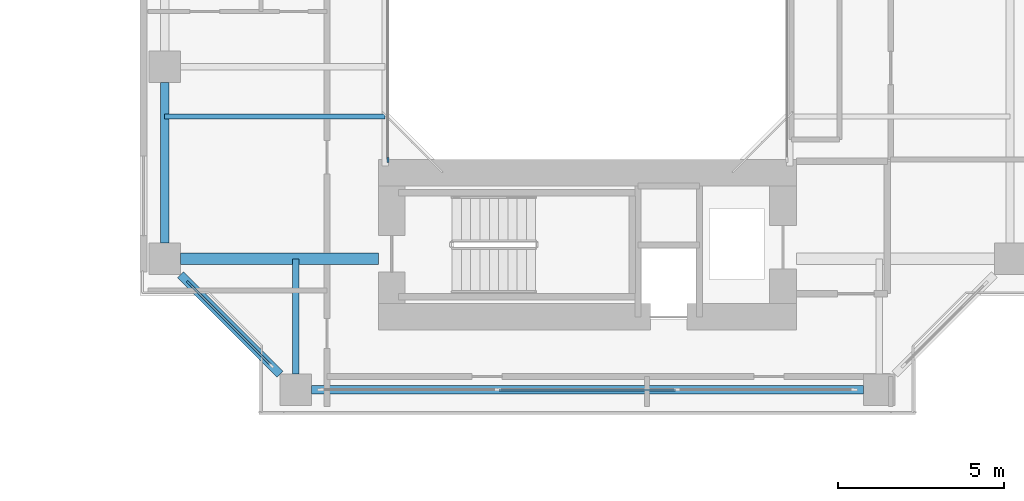
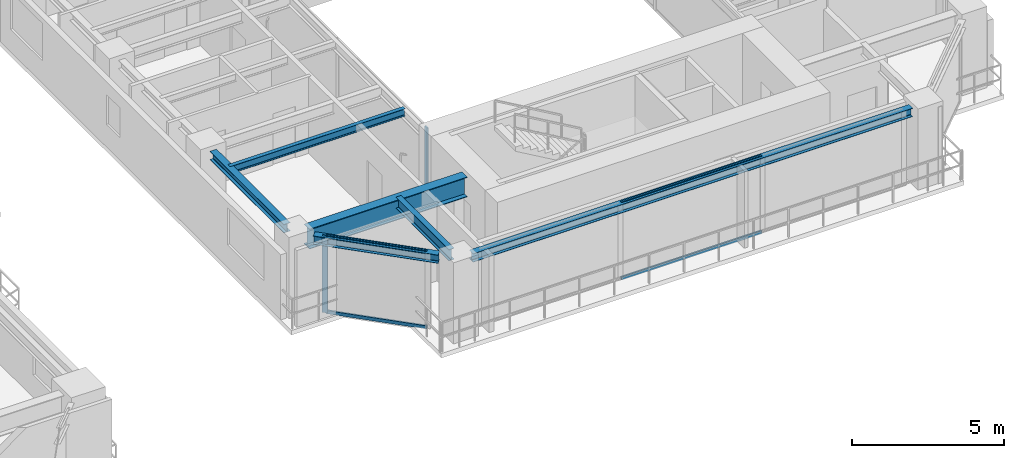
# One storey, part 6 of 23: 6 beams, 6 members, 3 elements without a shape of their own.
"""IFC4 building model written with IfcOpenShell, lengths in metres."""

from ifc_helpers import new_model, si_unit, direction, frame, origin, origin_2d, place, context, subcontext, project, spatial, rectangle, i_section, extrude, source, transform, mapped, material, layer, layer_set, material_profile, profile_set, type_object, element, aggregate, save


model = new_model("IFC4")

# Units and contexts
model_context = context("Model", 3, precision=1e-05, world=origin(), true_north=direction((0.0, 1.0)))
body_context = subcontext(model_context, "Body", "Model", "MODEL_VIEW")
ifc_project = project(units=[si_unit("LENGTHUNIT", "METRE"), si_unit("AREAUNIT", "SQUARE_METRE"), si_unit("VOLUMEUNIT", "CUBIC_METRE"), si_unit("PLANEANGLEUNIT", "RADIAN"), si_unit("MASSUNIT", "GRAM", prefix="KILO"), si_unit("THERMODYNAMICTEMPERATUREUNIT", "KELVIN"), si_unit("POWERUNIT", "WATT")], contexts=[model_context])

# Site, building, storey
site_placement = place(None, origin())
site = spatial("IfcSite", under=ifc_project, at=site_placement, CompositionType="ELEMENT")
building_placement = place(site_placement, origin())
building = spatial("IfcBuilding", under=site, at=building_placement, Name="Qiaomeng Ring Towers", CompositionType="ELEMENT")
storey_placement = place(building_placement, frame((0.0, 0.0, 39.25)))
storey = spatial("IfcBuildingStorey", under=building, at=storey_placement, Name="L10", CompositionType="ELEMENT", Elevation=39.25)

# Beams
ifc_material_1 = material(Name="Steel Q355B", Category="steel")
ifc_material_profile_1 = material_profile(ifc_material_1, i_section(OverallWidth=0.25, OverallDepth=0.340087890625, WebThickness=0.009033203125, FlangeThickness=0.013916015625, FilletRadius=0.02001953125, at=origin_2d()), Name="HM 340x250x9x14")
ifc_profile_set_1 = profile_set([ifc_material_profile_1], Name="Steel Q355B")
beam_type_1 = type_object("IfcBeamType", Name="STR-BM-HM340", PredefinedType="SPANDREL", material=ifc_profile_set_1)
shared_shape_1 = source(origin(), body_context, "Body", "SweptSolid", [
    extrude(i_section(OverallWidth=0.25, OverallDepth=0.340087890625, WebThickness=0.009033203125, FlangeThickness=0.013916015625, FilletRadius=0.02001953125, at=origin_2d()), origin(), (0.0, 0.0, 1.0), 16.65185546875),
])
beam_1_placement = place(storey_placement, frame((52.174072265625, 10.25, 2.89990234375), z_axis=(1.0, 0.0, 0.0), x_axis=(0.0, 1.0, 0.0)))
element("IfcBeam", 1, at=beam_1_placement, inside=storey, type_object=beam_type_1, Name="L10 beam STR-SP-L10-T2-S1-S2", PredefinedType="SPANDREL", context=body_context, shape_type="MappedRepresentation", body=[
    mapped(shared_shape_1, transform((0.0, 0.0, 0.0), x_axis=(1.0, 0.0, 0.0), y_axis=(0.0, 1.0, 0.0), z_axis=(0.0, 0.0, 1.0), scale=1.0)),
])
shared_shape_2 = source(origin(), body_context, "Body", "SweptSolid", [
    extrude(i_section(OverallWidth=0.25, OverallDepth=0.340087890625, WebThickness=0.009033203125, FlangeThickness=0.013916015625, FilletRadius=0.02001953125, at=origin_2d()), origin(), (0.0, 0.0, 1.0), 4.244384765625),
])
beam_2_placement = place(storey_placement, frame((48.224365234375, 13.7255859375, 2.89990234375), z_axis=(0.707106781187, -0.707106781187, 0.0), x_axis=(0.707106781187, 0.707106781187, 0.0)))
element("IfcBeam", 2, at=beam_2_placement, inside=storey, type_object=beam_type_1, Name="L10 beam STR-SP-L10-T2-W1-S1", PredefinedType="SPANDREL", context=body_context, shape_type="MappedRepresentation", body=[
    mapped(shared_shape_2, transform((0.0, 0.0, 0.0), x_axis=(1.0, 0.0, 0.0), y_axis=(0.0, 1.0, 0.0), z_axis=(0.0, 0.0, 1.0), scale=1.0)),
])
shared_shape_3 = source(origin(), body_context, "Body", "SweptSolid", [
    extrude(i_section(OverallWidth=0.25, OverallDepth=0.340087890625, WebThickness=0.009033203125, FlangeThickness=0.013916015625, FilletRadius=0.02001953125, at=origin_2d()), origin(), (0.0, 0.0, 1.0), 4.851806640625),
])
beam_3_placement = place(storey_placement, frame((47.75, 19.52587890625, 2.89990234375), z_axis=(0.0, -1.0, 0.0), x_axis=(1.0, 0.0, 0.0)))
element("IfcBeam", 3, at=beam_3_placement, inside=storey, type_object=beam_type_1, Name="L10 beam STR-SP-L10-T2-W2-W1", PredefinedType="SPANDREL", context=body_context, shape_type="MappedRepresentation", body=[
    mapped(shared_shape_3, transform((0.0, 0.0, 0.0), x_axis=(1.0, 0.0, 0.0), y_axis=(0.0, 1.0, 0.0), z_axis=(0.0, 0.0, 1.0), scale=1.0)),
])
ifc_material_2 = material(Name="Steel Q390GJC", Category="steel")
ifc_material_profile_2 = material_profile(ifc_material_2, i_section(OverallWidth=0.35009765625, OverallDepth=0.800048828125, WebThickness=0.01611328125, FlangeThickness=0.028076171875, at=origin_2d()), Name="WH 800x350x16x28")
ifc_profile_set_2 = profile_set([ifc_material_profile_2], Name="Steel Q390GJC")
beam_type_2 = type_object("IfcBeamType", Name="STR-BM-WH800", PredefinedType="BEAM", material=ifc_profile_set_2)
shared_shape_4 = source(origin(), body_context, "Body", "SweptSolid", [
    extrude(i_section(OverallWidth=0.35009765625, OverallDepth=0.800048828125, WebThickness=0.01611328125, FlangeThickness=0.028076171875, at=origin_2d()), origin(), (0.0, 0.0, 1.0), 5.975830078125),
])
beam_4_placement = place(storey_placement, frame((48.22412109375, 14.199951171875, 2.669921875), z_axis=(1.0, 0.0, 0.0), x_axis=(0.0, 1.0, 0.0)))
element("IfcBeam", 4, at=beam_4_placement, inside=storey, type_object=beam_type_2, Name="L10 beam STR-BM-L10-T2-RAD-W1", PredefinedType="BEAM", context=body_context, shape_type="MappedRepresentation", body=[
    mapped(shared_shape_4, transform((0.0, 0.0, 0.0), x_axis=(1.0, 0.0, 0.0), y_axis=(0.0, 1.0, 0.0), z_axis=(0.0, 0.0, 1.0), scale=1.0)),
])
ifc_material_profile_3 = material_profile(ifc_material_1, i_section(OverallWidth=0.199951171875, OverallDepth=0.449951171875, WebThickness=0.009033203125, FlangeThickness=0.013916015625, FilletRadius=0.01806640625, at=origin_2d()), Name="HN 450x200x9x14")
ifc_profile_set_3 = profile_set([ifc_material_profile_3], Name="Steel Q355B")
beam_type_3 = type_object("IfcBeamType", Name="STR-BM-HN450", PredefinedType="SPANDREL", material=ifc_profile_set_3)
shared_shape_5 = source(origin(), body_context, "Body", "SweptSolid", [
    extrude(i_section(OverallWidth=0.199951171875, OverallDepth=0.449951171875, WebThickness=0.009033203125, FlangeThickness=0.013916015625, FilletRadius=0.01806640625, at=origin_2d()), origin(), (0.0, 0.0, 1.0), 3.475830078125),
])
beam_5_placement = place(storey_placement, frame((51.699951171875, 10.72412109375, 2.844970703125), z_axis=(0.0, 1.0, 0.0), x_axis=(-1.0, 0.0, 0.0)))
element("IfcBeam", 5, at=beam_5_placement, inside=storey, type_object=beam_type_3, Name="L10 beam STR-BM-L10-T2-RAD-S1", PredefinedType="SPANDREL", context=body_context, shape_type="MappedRepresentation", body=[
    mapped(shared_shape_5, transform((0.0, 0.0, 0.0), x_axis=(1.0, 0.0, 0.0), y_axis=(0.0, 1.0, 0.0), z_axis=(0.0, 0.0, 1.0), scale=1.0)),
])
ifc_material_profile_4 = material_profile(ifc_material_1, i_section(OverallWidth=0.14990234375, OverallDepth=0.300048828125, WebThickness=0.006591796875, FlangeThickness=0.009033203125, FilletRadius=0.012939453125, at=origin_2d()), Name="HN 300x150x6.5x9")
ifc_profile_set_4 = profile_set([ifc_material_profile_4], Name="Steel Q355B")
beam_type_4 = type_object("IfcBeamType", Name="STR-BM-HN300", PredefinedType="JOIST", material=ifc_profile_set_4)
shared_shape_6 = source(origin(), body_context, "Body", "SweptSolid", [
    extrude(i_section(OverallWidth=0.14990234375, OverallDepth=0.300048828125, WebThickness=0.006591796875, FlangeThickness=0.009033203125, FilletRadius=0.012939453125, at=origin_2d()), origin(), (0.0, 0.0, 1.0), 6.64990234375),
])
beam_6_placement = place(storey_placement, frame((47.75, 18.5, 2.919921875), z_axis=(1.0, 0.0, 0.0), x_axis=(0.0, 1.0, 0.0)))
element("IfcBeam", 6, at=beam_6_placement, inside=storey, type_object=beam_type_4, Name="L10 beam STR-JST-L10-T2W-1", PredefinedType="JOIST", context=body_context, shape_type="MappedRepresentation", body=[
    mapped(shared_shape_6, transform((0.0, 0.0, 0.0), x_axis=(1.0, 0.0, 0.0), y_axis=(0.0, 1.0, 0.0), z_axis=(0.0, 0.0, 1.0), scale=1.0)),
])

# Curtain wall, member
ifc_material_3 = material(Name="Fluorocarbon dark-grey aluminium", Category="aluminium")
ifc_layer_1 = layer(ifc_material_3, 0.139892578125, Name="Fluorocarbon dark-grey aluminium")
ifc_layer_set_1 = layer_set([ifc_layer_1], Name="Fluorocarbon dark-grey aluminium")
curtain_wall_type_1 = type_object("IfcCurtainWallType", Name="ARC-CW-4", PredefinedType="NOTDEFINED", material=ifc_layer_set_1)
curtain_wall_1_placement = place(storey_placement, origin())
curtain_wall_1 = element("IfcCurtainWall", 7, at=curtain_wall_1_placement, inside=storey, type_object=curtain_wall_type_1, Name="L10 Curtain Wall CW4", PredefinedType="NOTDEFINED")
ifc_material_profile_5 = material_profile(ifc_material_3, rectangle(XDim=0.06494140625, YDim=0.159912109375, at=origin_2d()), Name="ALU MULL 65x160")
ifc_profile_set_5 = profile_set([ifc_material_profile_5], Name="Fluorocarbon dark-grey aluminium")
member_type_1 = type_object("IfcMemberType", Name="ARC-CWM-140", PredefinedType="MULLION", material=ifc_profile_set_5)
shared_shape_7 = source(origin(), body_context, "Body", "SweptSolid", [
    extrude(rectangle(XDim=0.06494140625, YDim=0.159912109375, at=origin_2d()), origin(), (0.0, 0.0, 1.0), 3.070068359375),
])
member_1_placement = place(storey_placement, frame((54.47998046875, 17.1826171875, 0.0), z_axis=(0.0, 0.0, 1.0), x_axis=(-1.0, 0.0, 0.0)))
member_1 = element("IfcMember", 8, at=member_1_placement, type_object=member_type_1, Name="CW4 mullion 1", PredefinedType="MULLION", context=body_context, shape_type="MappedRepresentation", body=[
    mapped(shared_shape_7, transform((0.0, 0.0, 0.0), x_axis=(1.0, 0.0, 0.0), y_axis=(0.0, 1.0, 0.0), z_axis=(0.0, 0.0, 1.0), scale=1.0)),
])
aggregate(curtain_wall_1, [member_1])

ifc_layer_2 = layer(ifc_material_3, 0.14990234375, Name="Fluorocarbon dark-grey aluminium")
ifc_layer_set_2 = layer_set([ifc_layer_2], Name="Fluorocarbon dark-grey aluminium")
curtain_wall_type_2 = type_object("IfcCurtainWallType", Name="ARC-CW-5", PredefinedType="NOTDEFINED", material=ifc_layer_set_2)
curtain_wall_2_placement = place(storey_placement, origin())
curtain_wall_2 = element("IfcCurtainWall", 9, at=curtain_wall_2_placement, inside=storey, type_object=curtain_wall_type_2, Name="L10 Curtain Wall CW5", PredefinedType="NOTDEFINED")
ifc_material_profile_6 = material_profile(ifc_material_3, rectangle(XDim=0.070068359375, YDim=0.179931640625, at=origin_2d()), Name="ALU MULL 70x180")
ifc_profile_set_6 = profile_set([ifc_material_profile_6], Name="Fluorocarbon dark-grey aluminium")
member_type_2 = type_object("IfcMemberType", Name="ARC-CWM-160", PredefinedType="MULLION", material=ifc_profile_set_6)
shared_shape_8 = source(origin(), body_context, "Body", "SweptSolid", [
    extrude(rectangle(XDim=0.070068359375, YDim=0.179931640625, at=origin_2d()), origin(), (0.0, 0.0, 1.0), 3.070068359375),
])
member_2_placement = place(storey_placement, frame((48.48974609375, 13.460205078125, 0.0), z_axis=(0.0, 0.0, 1.0), x_axis=(0.707106781187, 0.707106781187, 0.0)))
member_2 = element("IfcMember", 10, at=member_2_placement, type_object=member_type_2, Name="CW5 mullion 1", PredefinedType="MULLION", context=body_context, shape_type="MappedRepresentation", body=[
    mapped(shared_shape_8, transform((0.0, 0.0, 0.0), x_axis=(1.0, 0.0, 0.0), y_axis=(0.0, 1.0, 0.0), z_axis=(0.0, 0.0, 1.0), scale=1.0)),
])

# Curtain wall, members
curtain_wall_3_placement = place(storey_placement, origin())
curtain_wall_3 = element("IfcCurtainWall", 11, at=curtain_wall_3_placement, inside=storey, type_object=curtain_wall_type_2, Name="L10 Curtain Wall CW5", PredefinedType="NOTDEFINED")
ifc_material_profile_7 = material_profile(ifc_material_3, rectangle(XDim=0.06494140625, YDim=0.1298828125, at=origin_2d()), Name="ALU TRAN 65x130")
ifc_profile_set_7 = profile_set([ifc_material_profile_7], Name="Fluorocarbon dark-grey aluminium")
member_type_3 = type_object("IfcMemberType", Name="ARC-CWT-120", PredefinedType="USERDEFINED", material=ifc_profile_set_7)
shared_shape_9 = source(origin(), body_context, "Body", "SweptSolid", [
    extrude(rectangle(XDim=0.06494140625, YDim=0.1298828125, at=origin_2d()), origin(), (0.0, 0.0, 1.0), 5.31982421875),
])
member_3_placement = place(storey_placement, frame((57.840087890625, 10.25, 0.032470703125), z_axis=(1.0, 0.0, 0.0), x_axis=(0.0, 1.0, 0.0)))
member_3 = element("IfcMember", 12, at=member_3_placement, type_object=member_type_3, Name="CW5 transom 2.1", ObjectType="TRANSOM", PredefinedType="USERDEFINED", context=body_context, shape_type="MappedRepresentation", body=[
    mapped(shared_shape_9, transform((0.0, 0.0, 0.0), x_axis=(1.0, 0.0, 0.0), y_axis=(0.0, 1.0, 0.0), z_axis=(0.0, 0.0, 1.0), scale=1.0)),
])
member_4_placement = place(storey_placement, frame((57.840087890625, 10.25, 3.03759765625), z_axis=(1.0, 0.0, 0.0), x_axis=(0.0, 1.0, 0.0)))
member_4 = element("IfcMember", 13, at=member_4_placement, type_object=member_type_3, Name="CW5 transom 2.2", ObjectType="TRANSOM", PredefinedType="USERDEFINED", context=body_context, shape_type="MappedRepresentation", body=[
    mapped(shared_shape_9, transform((0.0, 0.0, 0.0), x_axis=(1.0, 0.0, 0.0), y_axis=(0.0, 1.0, 0.0), z_axis=(0.0, 0.0, 1.0), scale=1.0)),
])
aggregate(curtain_wall_3, [member_3, member_4])

# Member
shared_shape_10 = source(origin(), body_context, "Body", "SweptSolid", [
    extrude(rectangle(XDim=0.06494140625, YDim=0.1298828125, at=origin_2d()), origin(), (0.0, 0.0, 1.0), 3.424072265625),
])
member_5_placement = place(storey_placement, frame((48.514404296875, 13.435546875, 0.032470703125), z_axis=(0.707106781187, -0.707106781187, 0.0), x_axis=(0.707106781187, 0.707106781187, 0.0)))
member_5 = element("IfcMember", 14, at=member_5_placement, type_object=member_type_3, Name="CW5 transom 1.1", ObjectType="TRANSOM", PredefinedType="USERDEFINED", context=body_context, shape_type="MappedRepresentation", body=[
    mapped(shared_shape_10, transform((0.0, 0.0, 0.0), x_axis=(1.0, 0.0, 0.0), y_axis=(0.0, 1.0, 0.0), z_axis=(0.0, 0.0, 1.0), scale=1.0)),
])

member_6_placement = place(storey_placement, frame((48.514404296875, 13.435546875, 3.03759765625), z_axis=(0.707106781187, -0.707106781187, 0.0), x_axis=(0.707106781187, 0.707106781187, 0.0)))
member_6 = element("IfcMember", 15, at=member_6_placement, type_object=member_type_3, Name="CW5 transom 1.2", ObjectType="TRANSOM", PredefinedType="USERDEFINED", context=body_context, shape_type="MappedRepresentation", body=[
    mapped(shared_shape_10, transform((0.0, 0.0, 0.0), x_axis=(1.0, 0.0, 0.0), y_axis=(0.0, 1.0, 0.0), z_axis=(0.0, 0.0, 1.0), scale=1.0)),
])

aggregate(curtain_wall_2, [member_2, member_5, member_6])

save(model, "model.ifc")
